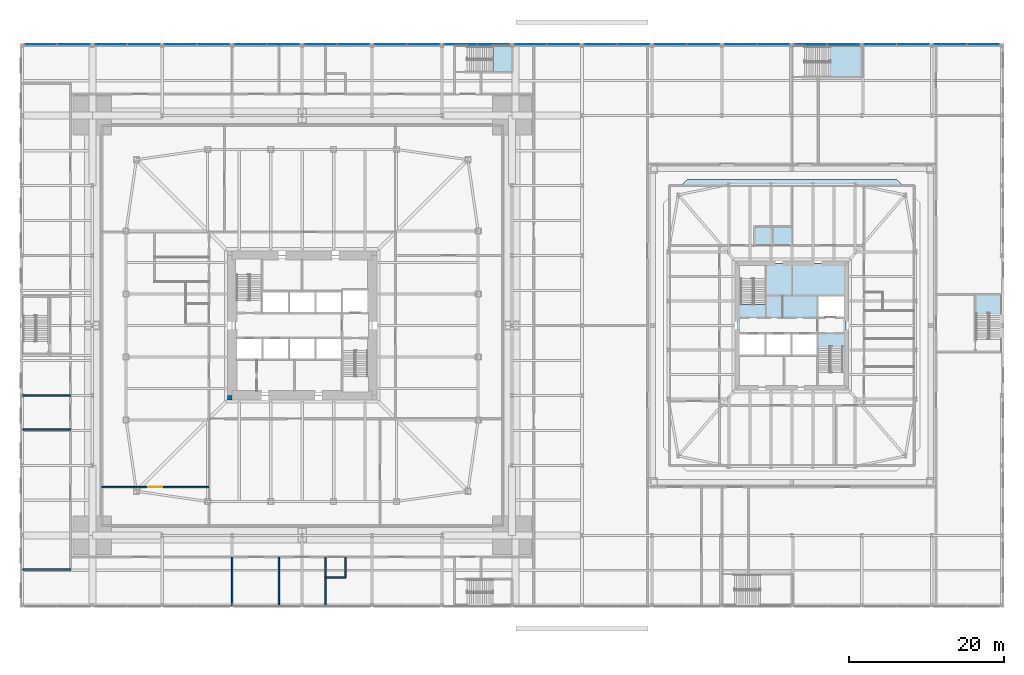
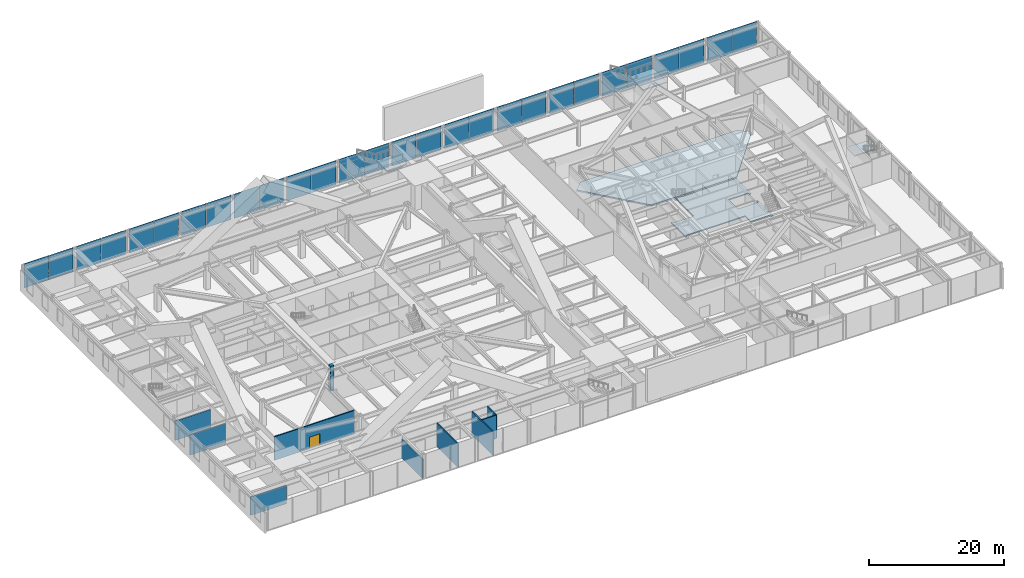
# One storey, part 19 of 32: 28 plates, 10 walls, 5 slabs, 1 door, 1 opening, 17 elements without a shape of their own.
"""IFC4 building model written with IfcOpenShell, lengths in metres."""

from ifc_helpers import new_model, si_unit, direction, frame, frame_2d, origin, origin_2d, place, context, subcontext, project, spatial, polyline, rectangle, outline, extrude, material, layer, layer_set, constituent, constituent_set, type_object, element, fill, aggregate, save


model = new_model("IFC4")

# Units and contexts
model_context = context("Model", 3, precision=1e-05, world=origin(), true_north=direction((0.0, 1.0)))
body_context = subcontext(model_context, "Body", "Model", "MODEL_VIEW")
ifc_project = project(units=[si_unit("LENGTHUNIT", "METRE"), si_unit("AREAUNIT", "SQUARE_METRE"), si_unit("VOLUMEUNIT", "CUBIC_METRE"), si_unit("PLANEANGLEUNIT", "RADIAN"), si_unit("MASSUNIT", "GRAM", prefix="KILO")], contexts=[model_context])

# Site, building, storey
site_placement = place(None, origin())
site = spatial("IfcSite", under=ifc_project, at=site_placement, CompositionType="ELEMENT")
building_placement = place(site_placement, origin())
building = spatial("IfcBuilding", under=site, at=building_placement, Name="Iwan Alto Co-Living Towers", CompositionType="ELEMENT")
storey_placement = place(building_placement, frame((0.0, 0.0, 6.0)))
storey = spatial("IfcBuildingStorey", under=building, at=storey_placement, Name="L01", CompositionType="ELEMENT", Elevation=6.0)

# Slab
ifc_material_1 = material(Name="Concrete f'c 30 MPa", Category="concrete")
ifc_layer_1 = layer(ifc_material_1, 0.199951171875)
ifc_layer_set_1 = layer_set([ifc_layer_1], Name="CORE FLOOR SLAB 200")
slab_type_1 = type_object("IfcSlabType", Name="CORE FLOOR SLAB 200", PredefinedType="FLOOR", material=ifc_layer_set_1)
slab_1_placement = place(storey_placement, frame((0.0, 0.0, -0.199951171875)))
element("IfcSlab", 1, at=slab_1_placement, inside=storey, type_object=slab_type_1, Name="T2 core floor L01", PredefinedType="FLOOR", context=body_context, shape_type="SweptSolid", body=[
    extrude(outline(polyline([(70.0, -3.030029296875), (69.699951171875, -3.030029296875), (69.699951171875, -2.719970703125), (66.300048828125, -2.719970703125), (66.300048828125, -1.050048828125), (62.967041015625, -1.050048828125), (59.633056640625, -1.050048828125), (56.300048828125, -1.050048828125), (56.300048828125, -1.360107421875), (56.0, -1.360107421875), (56.0, 3.030029296875), (56.300048828125, 3.030029296875), (56.300048828125, 2.719970703125), (59.699951171875, 2.719970703125), (59.699951171875, 7.699951171875), (59.389892578125, 7.699951171875), (59.389892578125, 8.0), (70.0, 8.0), (70.0, 3.5400390625), (69.699951171875, 3.5400390625), (69.699951171875, 3.85009765625), (66.300048828125, 3.85009765625), (66.300048828125, 1.050048828125), (69.699951171875, 1.050048828125), (69.699951171875, 1.360107421875), (70.0, 1.360107421875), (70.0, -3.030029296875)])), origin(), (0.0, 0.0, 1.0), 0.199951171875),
])

# Curtain wall, plates
ifc_material_2 = material(Name="Bronze aluminium stick frame", Category="aluminium")
curtain_wall_type = type_object("IfcCurtainWallType", Name="CURTAIN WALL CW-E", PredefinedType="NOTDEFINED", material=ifc_material_2)
curtain_wall_1_placement = place(storey_placement, origin())
curtain_wall_1 = element("IfcCurtainWall", 2, at=curtain_wall_1_placement, inside=storey, type_object=curtain_wall_type, Name="Podium curtain wall N L01", PredefinedType="NOTDEFINED")
ifc_material_3 = material(Name="Bronze-tinted insulating glass", Category="glass")
ifc_layer_2 = layer(ifc_material_3, 0.031982421875)
ifc_layer_set_2 = layer_set([ifc_layer_2], Name="CW-E PANEL TINTED IGU 32")
plate_type = type_object("IfcPlateType", Name="CW-E PANEL TINTED IGU 32", PredefinedType="CURTAIN_PANEL", material=ifc_layer_set_2)
plate_1_placement = place(storey_placement, frame((-29.372802734375, 36.14990234375, 0.10009765625), z_axis=(0.0, 0.0, 1.0), x_axis=(-1.0, 0.0, 0.0)))
plate_1 = element("IfcPlate", 3, at=plate_1_placement, type_object=plate_type, Name="CW-E panel 1.1", PredefinedType="CURTAIN_PANEL", context=body_context, shape_type="SweptSolid", body=[
    extrude(rectangle(XDim=4.17431640625, YDim=0.031982421875, at=origin_2d()), origin(), (0.0, 0.0, 1.0), 4.39990234375),
])
plate_2_placement = place(storey_placement, frame((-33.627197265625, 36.14990234375, 0.10009765625), z_axis=(0.0, 0.0, 1.0), x_axis=(-1.0, 0.0, 0.0)))
plate_2 = element("IfcPlate", 4, at=plate_2_placement, type_object=plate_type, Name="CW-E panel 2.1", PredefinedType="CURTAIN_PANEL", context=body_context, shape_type="SweptSolid", body=[
    extrude(rectangle(XDim=4.17431640625, YDim=0.031982421875, at=origin_2d()), origin(), (0.0, 0.0, 1.0), 4.39990234375),
])
aggregate(curtain_wall_1, [plate_1, plate_2])

curtain_wall_2_placement = place(storey_placement, origin())
curtain_wall_2 = element("IfcCurtainWall", 5, at=curtain_wall_2_placement, inside=storey, type_object=curtain_wall_type, Name="Podium curtain wall N L01", PredefinedType="NOTDEFINED")
plate_3_placement = place(storey_placement, frame((-20.372802734375, 36.14990234375, 0.10009765625), z_axis=(0.0, 0.0, 1.0), x_axis=(-1.0, 0.0, 0.0)))
plate_3 = element("IfcPlate", 6, at=plate_3_placement, type_object=plate_type, Name="CW-E panel 1.1", PredefinedType="CURTAIN_PANEL", context=body_context, shape_type="SweptSolid", body=[
    extrude(rectangle(XDim=4.17431640625, YDim=0.031982421875, at=origin_2d()), origin(), (0.0, 0.0, 1.0), 4.39990234375),
])
plate_4_placement = place(storey_placement, frame((-24.627197265625, 36.14990234375, 0.10009765625), z_axis=(0.0, 0.0, 1.0), x_axis=(-1.0, 0.0, 0.0)))
plate_4 = element("IfcPlate", 7, at=plate_4_placement, type_object=plate_type, Name="CW-E panel 2.1", PredefinedType="CURTAIN_PANEL", context=body_context, shape_type="SweptSolid", body=[
    extrude(rectangle(XDim=4.17431640625, YDim=0.031982421875, at=origin_2d()), origin(), (0.0, 0.0, 1.0), 4.39990234375),
])
aggregate(curtain_wall_2, [plate_3, plate_4])

curtain_wall_3_placement = place(storey_placement, origin())
curtain_wall_3 = element("IfcCurtainWall", 8, at=curtain_wall_3_placement, inside=storey, type_object=curtain_wall_type, Name="Podium curtain wall N L01", PredefinedType="NOTDEFINED")
plate_5_placement = place(storey_placement, frame((-11.372802734375, 36.14990234375, 0.10009765625), z_axis=(0.0, 0.0, 1.0), x_axis=(-1.0, 0.0, 0.0)))
plate_5 = element("IfcPlate", 9, at=plate_5_placement, type_object=plate_type, Name="CW-E panel 1.1", PredefinedType="CURTAIN_PANEL", context=body_context, shape_type="SweptSolid", body=[
    extrude(rectangle(XDim=4.17431640625, YDim=0.031982421875, at=origin_2d()), origin(), (0.0, 0.0, 1.0), 4.39990234375),
])
plate_6_placement = place(storey_placement, frame((-15.627197265625, 36.14990234375, 0.10009765625), z_axis=(0.0, 0.0, 1.0), x_axis=(-1.0, 0.0, 0.0)))
plate_6 = element("IfcPlate", 10, at=plate_6_placement, type_object=plate_type, Name="CW-E panel 2.1", PredefinedType="CURTAIN_PANEL", context=body_context, shape_type="SweptSolid", body=[
    extrude(rectangle(XDim=4.17431640625, YDim=0.031982421875, at=origin_2d()), origin(), (0.0, 0.0, 1.0), 4.39990234375),
])
aggregate(curtain_wall_3, [plate_5, plate_6])

curtain_wall_4_placement = place(storey_placement, origin())
curtain_wall_4 = element("IfcCurtainWall", 11, at=curtain_wall_4_placement, inside=storey, type_object=curtain_wall_type, Name="Podium curtain wall N L01", PredefinedType="NOTDEFINED")
plate_7_placement = place(storey_placement, frame((-2.372802734375, 36.14990234375, 0.10009765625), z_axis=(0.0, 0.0, 1.0), x_axis=(-1.0, 0.0, 0.0)))
plate_7 = element("IfcPlate", 12, at=plate_7_placement, type_object=plate_type, Name="CW-E panel 1.1", PredefinedType="CURTAIN_PANEL", context=body_context, shape_type="SweptSolid", body=[
    extrude(rectangle(XDim=4.17431640625, YDim=0.031982421875, at=origin_2d()), origin(), (0.0, 0.0, 1.0), 4.39990234375),
])
plate_8_placement = place(storey_placement, frame((-6.627197265625, 36.14990234375, 0.10009765625), z_axis=(0.0, 0.0, 1.0), x_axis=(-1.0, 0.0, 0.0)))
plate_8 = element("IfcPlate", 13, at=plate_8_placement, type_object=plate_type, Name="CW-E panel 2.1", PredefinedType="CURTAIN_PANEL", context=body_context, shape_type="SweptSolid", body=[
    extrude(rectangle(XDim=4.17431640625, YDim=0.031982421875, at=origin_2d()), origin(), (0.0, 0.0, 1.0), 4.39990234375),
])
aggregate(curtain_wall_4, [plate_7, plate_8])

curtain_wall_5_placement = place(storey_placement, origin())
curtain_wall_5 = element("IfcCurtainWall", 14, at=curtain_wall_5_placement, inside=storey, type_object=curtain_wall_type, Name="Podium curtain wall N L01", PredefinedType="NOTDEFINED")
plate_9_placement = place(storey_placement, frame((6.627197265625, 36.14990234375, 0.10009765625), z_axis=(0.0, 0.0, 1.0), x_axis=(-1.0, 0.0, 0.0)))
plate_9 = element("IfcPlate", 15, at=plate_9_placement, type_object=plate_type, Name="CW-E panel 1.1", PredefinedType="CURTAIN_PANEL", context=body_context, shape_type="SweptSolid", body=[
    extrude(rectangle(XDim=4.17431640625, YDim=0.031982421875, at=origin_2d()), origin(), (0.0, 0.0, 1.0), 4.39990234375),
])
plate_10_placement = place(storey_placement, frame((2.372802734375, 36.14990234375, 0.10009765625), z_axis=(0.0, 0.0, 1.0), x_axis=(-1.0, 0.0, 0.0)))
plate_10 = element("IfcPlate", 16, at=plate_10_placement, type_object=plate_type, Name="CW-E panel 2.1", PredefinedType="CURTAIN_PANEL", context=body_context, shape_type="SweptSolid", body=[
    extrude(rectangle(XDim=4.17431640625, YDim=0.031982421875, at=origin_2d()), origin(), (0.0, 0.0, 1.0), 4.39990234375),
])
aggregate(curtain_wall_5, [plate_9, plate_10])

curtain_wall_6_placement = place(storey_placement, origin())
curtain_wall_6 = element("IfcCurtainWall", 17, at=curtain_wall_6_placement, inside=storey, type_object=curtain_wall_type, Name="Podium curtain wall N L01", PredefinedType="NOTDEFINED")
plate_11_placement = place(storey_placement, frame((15.627197265625, 36.14990234375, 0.10009765625), z_axis=(0.0, 0.0, 1.0), x_axis=(-1.0, 0.0, 0.0)))
plate_11 = element("IfcPlate", 18, at=plate_11_placement, type_object=plate_type, Name="CW-E panel 1.1", PredefinedType="CURTAIN_PANEL", context=body_context, shape_type="SweptSolid", body=[
    extrude(rectangle(XDim=4.17431640625, YDim=0.031982421875, at=origin_2d()), origin(), (0.0, 0.0, 1.0), 4.39990234375),
])
plate_12_placement = place(storey_placement, frame((11.372802734375, 36.14990234375, 0.10009765625), z_axis=(0.0, 0.0, 1.0), x_axis=(-1.0, 0.0, 0.0)))
plate_12 = element("IfcPlate", 19, at=plate_12_placement, type_object=plate_type, Name="CW-E panel 2.1", PredefinedType="CURTAIN_PANEL", context=body_context, shape_type="SweptSolid", body=[
    extrude(rectangle(XDim=4.17431640625, YDim=0.031982421875, at=origin_2d()), origin(), (0.0, 0.0, 1.0), 4.39990234375),
])
aggregate(curtain_wall_6, [plate_11, plate_12])

curtain_wall_7_placement = place(storey_placement, origin())
curtain_wall_7 = element("IfcCurtainWall", 20, at=curtain_wall_7_placement, inside=storey, type_object=curtain_wall_type, Name="Podium curtain wall N L01", PredefinedType="NOTDEFINED")
plate_13_placement = place(storey_placement, frame((24.627197265625, 36.14990234375, 0.10009765625), z_axis=(0.0, 0.0, 1.0), x_axis=(-1.0, 0.0, 0.0)))
plate_13 = element("IfcPlate", 21, at=plate_13_placement, type_object=plate_type, Name="CW-E panel 1.1", PredefinedType="CURTAIN_PANEL", context=body_context, shape_type="SweptSolid", body=[
    extrude(rectangle(XDim=4.17431640625, YDim=0.031982421875, at=origin_2d()), origin(), (0.0, 0.0, 1.0), 4.39990234375),
])
plate_14_placement = place(storey_placement, frame((20.372802734375, 36.14990234375, 0.10009765625), z_axis=(0.0, 0.0, 1.0), x_axis=(-1.0, 0.0, 0.0)))
plate_14 = element("IfcPlate", 22, at=plate_14_placement, type_object=plate_type, Name="CW-E panel 2.1", PredefinedType="CURTAIN_PANEL", context=body_context, shape_type="SweptSolid", body=[
    extrude(rectangle(XDim=4.17431640625, YDim=0.031982421875, at=origin_2d()), origin(), (0.0, 0.0, 1.0), 4.39990234375),
])
aggregate(curtain_wall_7, [plate_13, plate_14])

curtain_wall_8_placement = place(storey_placement, origin())
curtain_wall_8 = element("IfcCurtainWall", 23, at=curtain_wall_8_placement, inside=storey, type_object=curtain_wall_type, Name="Podium curtain wall N L01", PredefinedType="NOTDEFINED")
plate_15_placement = place(storey_placement, frame((33.627197265625, 36.14990234375, 0.10009765625), z_axis=(0.0, 0.0, 1.0), x_axis=(-1.0, 0.0, 0.0)))
plate_15 = element("IfcPlate", 24, at=plate_15_placement, type_object=plate_type, Name="CW-E panel 1.1", PredefinedType="CURTAIN_PANEL", context=body_context, shape_type="SweptSolid", body=[
    extrude(rectangle(XDim=4.17431640625, YDim=0.031982421875, at=origin_2d()), origin(), (0.0, 0.0, 1.0), 4.39990234375),
])
plate_16_placement = place(storey_placement, frame((29.372802734375, 36.14990234375, 0.10009765625), z_axis=(0.0, 0.0, 1.0), x_axis=(-1.0, 0.0, 0.0)))
plate_16 = element("IfcPlate", 25, at=plate_16_placement, type_object=plate_type, Name="CW-E panel 2.1", PredefinedType="CURTAIN_PANEL", context=body_context, shape_type="SweptSolid", body=[
    extrude(rectangle(XDim=4.17431640625, YDim=0.031982421875, at=origin_2d()), origin(), (0.0, 0.0, 1.0), 4.39990234375),
])
aggregate(curtain_wall_8, [plate_15, plate_16])

curtain_wall_9_placement = place(storey_placement, origin())
curtain_wall_9 = element("IfcCurtainWall", 26, at=curtain_wall_9_placement, inside=storey, type_object=curtain_wall_type, Name="Podium curtain wall N L01", PredefinedType="NOTDEFINED")
plate_17_placement = place(storey_placement, frame((42.627197265625, 36.14990234375, 0.10009765625), z_axis=(0.0, 0.0, 1.0), x_axis=(-1.0, 0.0, 0.0)))
plate_17 = element("IfcPlate", 27, at=plate_17_placement, type_object=plate_type, Name="CW-E panel 1.1", PredefinedType="CURTAIN_PANEL", context=body_context, shape_type="SweptSolid", body=[
    extrude(rectangle(XDim=4.17431640625, YDim=0.031982421875, at=origin_2d()), origin(), (0.0, 0.0, 1.0), 4.39990234375),
])
plate_18_placement = place(storey_placement, frame((38.372802734375, 36.14990234375, 0.10009765625), z_axis=(0.0, 0.0, 1.0), x_axis=(-1.0, 0.0, 0.0)))
plate_18 = element("IfcPlate", 28, at=plate_18_placement, type_object=plate_type, Name="CW-E panel 2.1", PredefinedType="CURTAIN_PANEL", context=body_context, shape_type="SweptSolid", body=[
    extrude(rectangle(XDim=4.17431640625, YDim=0.031982421875, at=origin_2d()), origin(), (0.0, 0.0, 1.0), 4.39990234375),
])
aggregate(curtain_wall_9, [plate_17, plate_18])

curtain_wall_10_placement = place(storey_placement, origin())
curtain_wall_10 = element("IfcCurtainWall", 29, at=curtain_wall_10_placement, inside=storey, type_object=curtain_wall_type, Name="Podium curtain wall N L01", PredefinedType="NOTDEFINED")
plate_19_placement = place(storey_placement, frame((51.627197265625, 36.14990234375, 0.10009765625), z_axis=(0.0, 0.0, 1.0), x_axis=(-1.0, 0.0, 0.0)))
plate_19 = element("IfcPlate", 30, at=plate_19_placement, type_object=plate_type, Name="CW-E panel 1.1", PredefinedType="CURTAIN_PANEL", context=body_context, shape_type="SweptSolid", body=[
    extrude(rectangle(XDim=4.17431640625, YDim=0.031982421875, at=origin_2d()), origin(), (0.0, 0.0, 1.0), 4.39990234375),
])
plate_20_placement = place(storey_placement, frame((47.372802734375, 36.14990234375, 0.10009765625), z_axis=(0.0, 0.0, 1.0), x_axis=(-1.0, 0.0, 0.0)))
plate_20 = element("IfcPlate", 31, at=plate_20_placement, type_object=plate_type, Name="CW-E panel 2.1", PredefinedType="CURTAIN_PANEL", context=body_context, shape_type="SweptSolid", body=[
    extrude(rectangle(XDim=4.17431640625, YDim=0.031982421875, at=origin_2d()), origin(), (0.0, 0.0, 1.0), 4.39990234375),
])
aggregate(curtain_wall_10, [plate_19, plate_20])

curtain_wall_11_placement = place(storey_placement, origin())
curtain_wall_11 = element("IfcCurtainWall", 32, at=curtain_wall_11_placement, inside=storey, type_object=curtain_wall_type, Name="Podium curtain wall N L01", PredefinedType="NOTDEFINED")
plate_21_placement = place(storey_placement, frame((60.627197265625, 36.14990234375, 0.10009765625), z_axis=(0.0, 0.0, 1.0), x_axis=(-1.0, 0.0, 0.0)))
plate_21 = element("IfcPlate", 33, at=plate_21_placement, type_object=plate_type, Name="CW-E panel 1.1", PredefinedType="CURTAIN_PANEL", context=body_context, shape_type="SweptSolid", body=[
    extrude(rectangle(XDim=4.17431640625, YDim=0.031982421875, at=origin_2d()), origin(), (0.0, 0.0, 1.0), 4.39990234375),
])
plate_22_placement = place(storey_placement, frame((56.372802734375, 36.14990234375, 0.10009765625), z_axis=(0.0, 0.0, 1.0), x_axis=(-1.0, 0.0, 0.0)))
plate_22 = element("IfcPlate", 34, at=plate_22_placement, type_object=plate_type, Name="CW-E panel 2.1", PredefinedType="CURTAIN_PANEL", context=body_context, shape_type="SweptSolid", body=[
    extrude(rectangle(XDim=4.17431640625, YDim=0.031982421875, at=origin_2d()), origin(), (0.0, 0.0, 1.0), 4.39990234375),
])
aggregate(curtain_wall_11, [plate_21, plate_22])

curtain_wall_12_placement = place(storey_placement, origin())
curtain_wall_12 = element("IfcCurtainWall", 35, at=curtain_wall_12_placement, inside=storey, type_object=curtain_wall_type, Name="Podium curtain wall N L01", PredefinedType="NOTDEFINED")
plate_23_placement = place(storey_placement, frame((69.627197265625, 36.14990234375, 0.10009765625), z_axis=(0.0, 0.0, 1.0), x_axis=(-1.0, 0.0, 0.0)))
plate_23 = element("IfcPlate", 36, at=plate_23_placement, type_object=plate_type, Name="CW-E panel 1.1", PredefinedType="CURTAIN_PANEL", context=body_context, shape_type="SweptSolid", body=[
    extrude(rectangle(XDim=4.17431640625, YDim=0.031982421875, at=origin_2d()), origin(), (0.0, 0.0, 1.0), 4.39990234375),
])
plate_24_placement = place(storey_placement, frame((65.372802734375, 36.14990234375, 0.10009765625), z_axis=(0.0, 0.0, 1.0), x_axis=(-1.0, 0.0, 0.0)))
plate_24 = element("IfcPlate", 37, at=plate_24_placement, type_object=plate_type, Name="CW-E panel 2.1", PredefinedType="CURTAIN_PANEL", context=body_context, shape_type="SweptSolid", body=[
    extrude(rectangle(XDim=4.17431640625, YDim=0.031982421875, at=origin_2d()), origin(), (0.0, 0.0, 1.0), 4.39990234375),
])
aggregate(curtain_wall_12, [plate_23, plate_24])

curtain_wall_13_placement = place(storey_placement, origin())
curtain_wall_13 = element("IfcCurtainWall", 38, at=curtain_wall_13_placement, inside=storey, type_object=curtain_wall_type, Name="Podium curtain wall N L01", PredefinedType="NOTDEFINED")
plate_25_placement = place(storey_placement, frame((78.627197265625, 36.14990234375, 0.10009765625), z_axis=(0.0, 0.0, 1.0), x_axis=(-1.0, 0.0, 0.0)))
plate_25 = element("IfcPlate", 39, at=plate_25_placement, type_object=plate_type, Name="CW-E panel 1.1", PredefinedType="CURTAIN_PANEL", context=body_context, shape_type="SweptSolid", body=[
    extrude(rectangle(XDim=4.17431640625, YDim=0.031982421875, at=origin_2d()), origin(), (0.0, 0.0, 1.0), 4.39990234375),
])
plate_26_placement = place(storey_placement, frame((74.372802734375, 36.14990234375, 0.10009765625), z_axis=(0.0, 0.0, 1.0), x_axis=(-1.0, 0.0, 0.0)))
plate_26 = element("IfcPlate", 40, at=plate_26_placement, type_object=plate_type, Name="CW-E panel 2.1", PredefinedType="CURTAIN_PANEL", context=body_context, shape_type="SweptSolid", body=[
    extrude(rectangle(XDim=4.17431640625, YDim=0.031982421875, at=origin_2d()), origin(), (0.0, 0.0, 1.0), 4.39990234375),
])
aggregate(curtain_wall_13, [plate_25, plate_26])

curtain_wall_14_placement = place(storey_placement, origin())
curtain_wall_14 = element("IfcCurtainWall", 41, at=curtain_wall_14_placement, inside=storey, type_object=curtain_wall_type, Name="Podium curtain wall N L01", PredefinedType="NOTDEFINED")
plate_27_placement = place(storey_placement, frame((87.627197265625, 36.14990234375, 0.10009765625), z_axis=(0.0, 0.0, 1.0), x_axis=(-1.0, 0.0, 0.0)))
plate_27 = element("IfcPlate", 42, at=plate_27_placement, type_object=plate_type, Name="CW-E panel 1.1", PredefinedType="CURTAIN_PANEL", context=body_context, shape_type="SweptSolid", body=[
    extrude(rectangle(XDim=4.17431640625, YDim=0.031982421875, at=origin_2d()), origin(), (0.0, 0.0, 1.0), 4.39990234375),
])
plate_28_placement = place(storey_placement, frame((83.372802734375, 36.14990234375, 0.10009765625), z_axis=(0.0, 0.0, 1.0), x_axis=(-1.0, 0.0, 0.0)))
plate_28 = element("IfcPlate", 43, at=plate_28_placement, type_object=plate_type, Name="CW-E panel 2.1", PredefinedType="CURTAIN_PANEL", context=body_context, shape_type="SweptSolid", body=[
    extrude(rectangle(XDim=4.17431640625, YDim=0.031982421875, at=origin_2d()), origin(), (0.0, 0.0, 1.0), 4.39990234375),
])
aggregate(curtain_wall_14, [plate_27, plate_28])

# Slab
ifc_material_4 = material(Name="Concrete f'c 30 MPa", Category="concrete")
ifc_layer_3 = layer(ifc_material_4, 0.25)
ifc_layer_set_3 = layer_set([ifc_layer_3], Name="PODIUM FLOOR SLAB 250")
slab_type_2 = type_object("IfcSlabType", Name="PODIUM FLOOR SLAB 250", PredefinedType="FLOOR", material=ifc_layer_set_3)
slab_2_placement = place(storey_placement, frame((0.0, 0.0, -0.25)))
element("IfcSlab", 44, at=slab_2_placement, inside=storey, type_object=slab_type_2, Name="Podium floor slab L01 T2 N pour", PredefinedType="FLOOR", context=body_context, shape_type="SweptSolid", body=[
    extrude(outline(polyline([(49.5, 18.75), (76.5, 18.75), (77.99755859375, 17.25244140625), (70.300048828125, 8.300048828125), (55.699951171875, 8.300048828125), (48.00244140625, 17.25244140625), (49.5, 18.75)])), origin(), (0.0, 0.0, 1.0), 0.25),
])

# Stair, slab
ifc_material_5 = material(Name="Steel ASTM A36", Category="steel")
ifc_constituent_1 = constituent(ifc_material_5, Name="Stringers", Category="LoadBearing")
ifc_material_6 = material(Name="Concrete f'c 30 MPa", Category="concrete")
ifc_constituent_2 = constituent(ifc_material_6, Name="Tread fill", Category="Finish")
ifc_constituent_set_1 = constituent_set(constituents=[ifc_constituent_1, ifc_constituent_2], Name="STAIR 4500 TWO-FLIGHT PODIUM")
stair_type_1 = type_object("IfcStairType", Name="STAIR 4500 TWO-FLIGHT PODIUM", PredefinedType="HALF_TURN_STAIR", material=ifc_constituent_set_1)
stair_1_placement = place(storey_placement, origin())
stair_1 = element("IfcStair", 45, at=stair_1_placement, inside=storey, type_object=stair_type_1, Name="Stair PS2 L01 to L02", PredefinedType="HALF_TURN_STAIR")
ifc_material_7 = material(Name="Concrete f'c 30 MPa", Category="concrete")
ifc_layer_4 = layer(ifc_material_7, 0.199951171875)
ifc_layer_set_4 = layer_set([ifc_layer_4], Name="STAIR LANDING 200")
slab_type_3 = type_object("IfcSlabType", Name="STAIR LANDING 200", PredefinedType="LANDING", material=ifc_layer_set_4)
slab_3_placement = place(storey_placement, frame((0.0, 0.0, 2.050048828125)))
slab_3 = element("IfcSlab", 46, at=slab_3_placement, type_object=slab_type_3, Name="PS2 landing 1", PredefinedType="LANDING", context=body_context, shape_type="SweptSolid", body=[
    extrude(outline(polyline([(86.60009765625, 1.530029296875), (86.60009765625, 4.0), (90.0, 4.0), (90.0, 1.530029296875), (86.60009765625, 1.530029296875)])), origin(), (0.0, 0.0, 1.0), 0.199951171875),
])
aggregate(stair_1, [slab_3])

stair_2_placement = place(storey_placement, origin())
stair_2 = element("IfcStair", 47, at=stair_2_placement, inside=storey, type_object=stair_type_1, Name="Stair PS3 L01 to L02", PredefinedType="HALF_TURN_STAIR")
slab_4_placement = place(storey_placement, frame((0.0, 0.0, 2.050048828125)))
slab_4 = element("IfcSlab", 48, at=slab_4_placement, type_object=slab_type_3, Name="PS3 landing 1", PredefinedType="LANDING", context=body_context, shape_type="SweptSolid", body=[
    extrude(outline(polyline([(24.530029296875, 32.60009765625), (27.0, 32.60009765625), (27.0, 36.0), (24.530029296875, 36.0), (24.530029296875, 32.60009765625)])), origin(), (0.0, 0.0, 1.0), 0.199951171875),
])
aggregate(stair_2, [slab_4])

ifc_constituent_3 = constituent(ifc_material_5, Name="Stringers", Category="LoadBearing")
ifc_constituent_4 = constituent(ifc_material_6, Name="Tread fill", Category="Finish")
ifc_constituent_set_2 = constituent_set(constituents=[ifc_constituent_3, ifc_constituent_4], Name="STAIR 4500 TWO-FLIGHT PODIUM 1800 WIDE")
stair_type_2 = type_object("IfcStairType", Name="STAIR 4500 TWO-FLIGHT PODIUM 1800 WIDE", PredefinedType="HALF_TURN_STAIR", material=ifc_constituent_set_2)
stair_3_placement = place(storey_placement, origin())
stair_3 = element("IfcStair", 49, at=stair_3_placement, inside=storey, type_object=stair_type_2, Name="Stair PS5 L01 to L02", PredefinedType="HALF_TURN_STAIR")
slab_5_placement = place(storey_placement, frame((0.0, 0.0, 2.050048828125)))
slab_5 = element("IfcSlab", 50, at=slab_5_placement, type_object=slab_type_3, Name="PS5 landing 1", PredefinedType="LANDING", context=body_context, shape_type="SweptSolid", body=[
    extrude(outline(polyline([(67.929931640625, 31.9599609375), (72.0, 31.9599609375), (72.0, 36.0), (67.929931640625, 36.0), (67.929931640625, 31.9599609375)])), origin(), (0.0, 0.0, 1.0), 0.199951171875),
])
aggregate(stair_3, [slab_5])

# Walls
ifc_material_8 = material(Name="Concrete block masonry f*p 10 MPa", Category="masonry")
ifc_layer_5 = layer(ifc_material_8, 0.199951171875)
ifc_layer_set_5 = layer_set([ifc_layer_5], Name="PODIUM INTERNAL WALL 200")
wall_type_1 = type_object("IfcWallType", Name="PODIUM INTERNAL WALL 200", PredefinedType="SOLIDWALL", material=ifc_layer_set_5)
wall_1_placement = place(storey_placement, frame((3.0, -32.39990234375, 0.0), z_axis=(0.0, 0.0, 1.0), x_axis=(1.0, 0.0, 0.0)))
element("IfcWall", 51, at=wall_1_placement, inside=storey, type_object=wall_type_1, Name="Partition L01", PredefinedType="SOLIDWALL", context=body_context, shape_type="SweptSolid", body=[
    extrude(rectangle(XDim=2.60009765625, YDim=0.199951171875, at=frame_2d((1.300048828125, 0.0))), origin(), (0.0, 0.0, 1.0), 4.25),
])
wall_2_placement = place(storey_placement, frame((-35.93994140625, -31.39990234375, 0.0), z_axis=(0.0, 0.0, 1.0), x_axis=(1.0, 0.0, 0.0)))
element("IfcWall", 52, at=wall_2_placement, inside=storey, type_object=wall_type_1, Name="Partition L01", PredefinedType="SOLIDWALL", context=body_context, shape_type="SweptSolid", body=[
    extrude(rectangle(XDim=6.139892578125, YDim=0.199951171875, at=frame_2d((3.06982421875, 0.0))), origin(), (0.0, 0.0, 1.0), 3.322998046875),
])

# Wall, opening, door
wall_3_placement = place(storey_placement, frame((-25.75, -20.800048828125, 0.0), z_axis=(0.0, 0.0, 1.0), x_axis=(1.0, 0.0, 0.0)))
wall_3 = element("IfcWall", 53, at=wall_3_placement, inside=storey, type_object=wall_type_1, Name="Partition L01", PredefinedType="SOLIDWALL", context=body_context, shape_type="SweptSolid", body=[
    extrude(rectangle(XDim=13.75, YDim=0.199951171875, at=frame_2d((6.875, 0.0))), origin(), (0.0, 0.0, 1.0), 4.25),
])
opening_placement = place(wall_3_placement, frame((5.97509765625, 0.0, 0.0)))
opening = element("IfcOpeningElement", 54, at=opening_placement, cuts=wall_3, Name="Opening D9", PredefinedType="OPENING", context=body_context, shape_type="SweptSolid", body=[
    extrude(rectangle(XDim=1.800048828125, YDim=2.10009765625, at=frame_2d((0.89990234375, 1.050048828125))), frame((0.0, 0.10986328125, 0.0), z_axis=(0.0, -1.0, 0.0), x_axis=(1.0, 0.0, 0.0)), (0.0, 0.0, 1.0), 0.219970703125),
])
ifc_material_9 = material(Name="Steel frame with timber leaf", Category="steel")
door_type = type_object("IfcDoorType", Name="LOUNGE DOOR FD30S 1800X2100", OperationType="DOUBLE_DOOR_SINGLE_SWING", PredefinedType="DOOR", material=ifc_material_9)
door_placement = place(opening_placement, origin())
door = element("IfcDoor", 55, at=door_placement, inside=storey, type_object=door_type, Name="Fitness studio door L01", OperationType="DOUBLE_DOOR_SINGLE_SWING", OverallHeight=2.10009765625, OverallWidth=1.800048828125, PredefinedType="DOOR", context=body_context, shape_type="SweptSolid", body=[
    extrude(rectangle(XDim=1.800048828125, YDim=2.10009765625, at=frame_2d((0.89990234375, 1.050048828125))), frame((0.0, 0.02490234375, 0.0), z_axis=(0.0, -1.0, 0.0), x_axis=(1.0, 0.0, 0.0)), (0.0, 0.0, 1.0), 0.050048828125),
])
fill(opening, door)

# Walls
wall_4_placement = place(storey_placement, frame((-35.93994140625, -13.39990234375, 0.0), z_axis=(0.0, 0.0, 1.0), x_axis=(1.0, 0.0, 0.0)))
element("IfcWall", 56, at=wall_4_placement, inside=storey, type_object=wall_type_1, Name="Partition L01", PredefinedType="SOLIDWALL", context=body_context, shape_type="SweptSolid", body=[
    extrude(rectangle(XDim=6.139892578125, YDim=0.199951171875, at=frame_2d((3.06982421875, 0.0))), origin(), (0.0, 0.0, 1.0), 3.6328125),
])
wall_5_placement = place(storey_placement, frame((-35.93994140625, -9.0, 0.0), z_axis=(0.0, 0.0, 1.0), x_axis=(1.0, 0.0, 0.0)))
element("IfcWall", 57, at=wall_5_placement, inside=storey, type_object=wall_type_1, Name="Partition L01", PredefinedType="SOLIDWALL", context=body_context, shape_type="SweptSolid", body=[
    extrude(rectangle(XDim=6.139892578125, YDim=0.199951171875, at=frame_2d((3.06982421875, 0.0))), origin(), (0.0, 0.0, 1.0), 3.48046875),
])
wall_6_placement = place(storey_placement, frame((5.60009765625, -32.39990234375, 0.0), z_axis=(0.0, 0.0, 1.0), x_axis=(0.0, 1.0, 0.0)))
element("IfcWall", 58, at=wall_6_placement, inside=storey, type_object=wall_type_1, Name="Partition L01", PredefinedType="SOLIDWALL", context=body_context, shape_type="SweptSolid", body=[
    extrude(rectangle(XDim=2.599853515625, YDim=0.199951171875, at=frame_2d((1.2998046875, 0.0))), origin(), (0.0, 0.0, 1.0), 4.25),
])
for number, where, z_axis, x_axis, name in (
    (59, (3.0, -36.050048828125, 0.0), (0.0, 0.0, 1.0), (0.0, 1.0, 0.0), "Partition L01"),
    (60, (-3.0, -36.050048828125, 0.0), (0.0, 0.0, 1.0), (0.0, 1.0, 0.0), "Partition L01"),
):
    element("IfcWall", number, at=place(storey_placement, frame(where, z_axis=z_axis, x_axis=x_axis)), inside=storey, type_object=wall_type_1, Name=name, PredefinedType="SOLIDWALL", context=body_context, shape_type="SweptSolid", body=[
        extrude(rectangle(XDim=6.25, YDim=0.199951171875, at=frame_2d((3.125, 0.0))), origin(), (0.0, 0.0, 1.0), 4.25),
    ])
wall_7_placement = place(storey_placement, frame((-9.0, -36.050048828125, 0.0), z_axis=(0.0, 0.0, 1.0), x_axis=(0.0, 1.0, 0.0)))
element("IfcWall", 61, at=wall_7_placement, inside=storey, type_object=wall_type_1, Name="Partition L01", PredefinedType="SOLIDWALL", context=body_context, shape_type="SweptSolid", body=[
    extrude(rectangle(XDim=6.25, YDim=0.199951171875, at=frame_2d((3.125, 0.0))), origin(), (0.0, 0.0, 1.0), 3.48046875),
])
ifc_material_10 = material(Name="Concrete f'c 70 MPa", Category="concrete")
ifc_layer_6 = layer(ifc_material_10, 0.60009765625)
ifc_layer_set_6 = layer_set([ifc_layer_6], Name="T1 CORE CORNER FILL 600")
wall_type_2 = type_object("IfcWallType", Name="T1 CORE CORNER FILL 600", PredefinedType="SOLIDWALL", material=ifc_layer_set_6)
wall_8_placement = place(storey_placement, frame((-9.60009765625, -9.300048828125, 0.0), z_axis=(0.0, 0.0, 1.0), x_axis=(1.0, 0.0, 0.0)))
element("IfcWall", 62, at=wall_8_placement, inside=storey, type_object=wall_type_2, Name="T1 core corner SW L01", PredefinedType="SOLIDWALL", context=body_context, shape_type="SweptSolid", body=[
    extrude(rectangle(XDim=0.60009765625, YDim=0.60009765625, at=frame_2d((0.300048828125, 0.0))), origin(), (0.0, 0.0, 1.0), 4.5),
])

save(model, "model.ifc")
